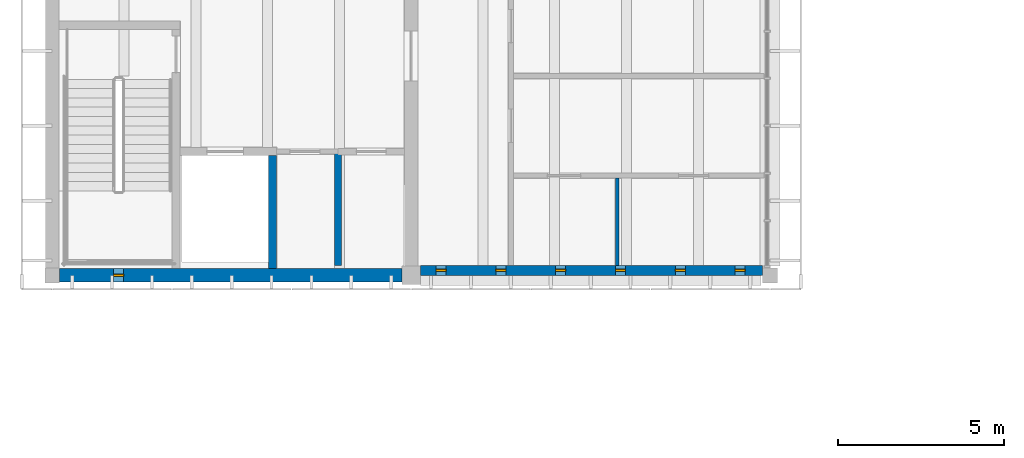
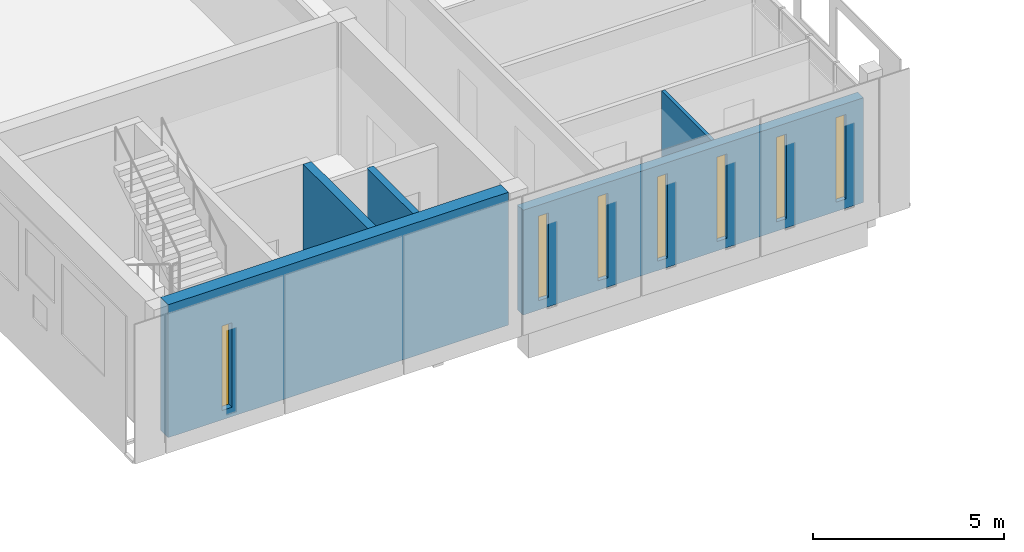
# One storey, part 30 of 50: 7 windows, 5 walls, 7 openings.
"""IFC4 building model written with IfcOpenShell, lengths in metres."""

import ifcopenshell
import ifcopenshell.guid

model = None  # the IFC model being written
_history = None  # IfcOwnerHistory: only IFC2X3 demands one
_inside = {}  # id of a spatial element -> (the spatial element, [elements in it])
_under = {}  # id of a project, library or spatial element -> (it, [spatial elements below it])
_declared = {}  # id of a project -> (the project, [libraries it declares])
_typed = {}  # id of a type object -> (the type object, [elements of that type])
_made_of = {}  # id of a material, layer set ... -> (it, [elements and type objects made of it])


def new_model(schema):
    """Start an empty IFC model of exactly this schema.

    Asked for "IFC4X3", IfcOpenShell would pick the latest addendum, in which some entities
    have other attributes; the version numbers below select the first issue.
    IFC2X3 requires an IfcOwnerHistory on every rooted entity: one is made here for all.
    """
    global model, _history
    if schema == "IFC4X3":
        model = ifcopenshell.file(schema_version=(4, 3, 0, 0))
    else:
        model = ifcopenshell.file(schema=schema)
    _inside.clear()
    _under.clear()
    _declared.clear()
    _typed.clear()
    _made_of.clear()
    _history = None
    if model.schema == "IFC2X3":
        org = make("IfcOrganization", Name="unknown")
        user = make(
            "IfcPersonAndOrganization",
            ThePerson=make("IfcPerson", FamilyName="unknown"),
            TheOrganization=org,
        )
        app = make(
            "IfcApplication",
            ApplicationDeveloper=org,
            Version="unknown",
            ApplicationFullName="unknown",
            ApplicationIdentifier="unknown",
        )
        _history = make(
            "IfcOwnerHistory",
            OwningUser=user,
            OwningApplication=app,
            ChangeAction="ADDED",
            CreationDate=0,
        )
    return model


def make(cls, **values):
    """One entity of the class cls with the attributes given. An attribute that is None is left unset."""
    return model.create_entity(
        cls, **{name: value for name, value in values.items() if value is not None}
    )


def rooted(cls, **values):
    """An entity with a GlobalId (a new one), such as an element, a storey or a relation."""
    return make(cls, GlobalId=ifcopenshell.guid.new(), OwnerHistory=_history, **values)


def si_unit(unit_type, name, prefix=None):
    """IfcSIUnit, for example si_unit("LENGTHUNIT", "METRE", prefix="MILLI")."""
    return make("IfcSIUnit", UnitType=unit_type, Prefix=prefix, Name=name)


def assignment(units):
    """IfcUnitAssignment: the units of a project."""
    return None if units is None else make("IfcUnitAssignment", Units=units)


def point(xyz):
    """IfcCartesianPoint."""
    return None if xyz is None else make("IfcCartesianPoint", Coordinates=xyz)


def direction(xyz):
    """IfcDirection."""
    return None if xyz is None else make("IfcDirection", DirectionRatios=xyz)


def frame(location, z_axis=None, x_axis=None):
    """IfcAxis2Placement3D, a coordinate frame: its origin and axes. An axis left out is left unset."""
    return make(
        "IfcAxis2Placement3D",
        Location=point(location),
        Axis=direction(z_axis),
        RefDirection=direction(x_axis),
    )


def frame_2d(location, x_axis=None):
    """IfcAxis2Placement2D, a coordinate frame in the plane: its origin and x axis."""
    return make(
        "IfcAxis2Placement2D", Location=point(location), RefDirection=direction(x_axis)
    )


def origin():
    """The frame at (0, 0, 0) with its axes left unset."""
    return frame((0.0, 0.0, 0.0))


def place(relative_to, where):
    """IfcLocalPlacement: puts the frame where relative to a parent placement (None: the world)."""
    return make(
        "IfcLocalPlacement", PlacementRelTo=relative_to, RelativePlacement=where
    )


def context(
    kind, dimensions, precision=None, world=None, true_north=None, identifier=None
):
    """IfcGeometricRepresentationContext, for example the 3D "Model" context."""
    return make(
        "IfcGeometricRepresentationContext",
        ContextIdentifier=identifier,
        ContextType=kind,
        CoordinateSpaceDimension=dimensions,
        Precision=precision,
        WorldCoordinateSystem=world,
        TrueNorth=true_north,
    )


def subcontext(parent, identifier, kind, view, scale=None):
    """IfcGeometricRepresentationSubContext, for example "Body" below "Model"."""
    return make(
        "IfcGeometricRepresentationSubContext",
        ContextIdentifier=identifier,
        ContextType=kind,
        ParentContext=parent,
        TargetScale=scale,
        TargetView=view,
    )


def project(units=None, contexts=None):
    """IfcProject with its units and contexts."""
    return rooted(
        "IfcProject",
        Name="project",
        RepresentationContexts=contexts,
        UnitsInContext=assignment(units),
    )


def spatial(cls, under=None, at=None, **own):
    """A site, building, storey or space (cls), placed at a placement, below another one or the project."""
    s = rooted(cls, ObjectPlacement=at, **own)
    if under is not None:
        _under.setdefault(under.id(), (under, []))[1].append(s)
    return s


def profile(cls, at=None, kind="AREA", **sizes):
    """A parametric profile (cls). Its sizes go by their IFC names, for example OverallWidth=200.0."""
    return make(cls, ProfileType=kind, Position=at, **sizes)


def rectangle(**sizes):
    """IfcRectangleProfileDef."""
    return profile("IfcRectangleProfileDef", **sizes)


def extrude(swept, where, along, depth):
    """IfcExtrudedAreaSolid: the profile swept, set in the frame where, extruded along a direction by depth."""
    return make(
        "IfcExtrudedAreaSolid",
        SweptArea=swept,
        Position=where,
        ExtrudedDirection=direction(along),
        Depth=depth,
    )


def shape(context_of_items, identifier, shape_type, items):
    """IfcShapeRepresentation: the items that make up one representation, for example the "Body"."""
    return make(
        "IfcShapeRepresentation",
        ContextOfItems=context_of_items,
        RepresentationIdentifier=identifier,
        RepresentationType=shape_type,
        Items=items,
    )


def material(Name=None, Category=None):
    """IfcMaterial."""
    return make("IfcMaterial", Name=Name, Category=Category)


def layer(
    of_material, thickness, ventilated=None, Name=None, Category=None, Priority=None
):
    """IfcMaterialLayer: one layer of a wall or slab, of a material (None: an air gap)."""
    return make(
        "IfcMaterialLayer",
        Material=of_material,
        LayerThickness=thickness,
        IsVentilated=ventilated,
        Name=Name,
        Category=Category,
        Priority=Priority,
    )


def layer_set(layers, Name=None):
    """IfcMaterialLayerSet."""
    return make("IfcMaterialLayerSet", MaterialLayers=layers, LayerSetName=Name)


def made_of(thing, what):
    """Note that an element or type object is made of a material, layer set ...; save() writes the relation."""
    if what is not None:
        _made_of.setdefault(what.id(), (what, []))[1].append(thing)
    return thing


def type_object(cls, material=None, **own):
    """A type object (cls), such as IfcWallType, which elements share."""
    return made_of(rooted(cls, **own), material)


def element(
    cls,
    number,
    at=None,
    inside=None,
    cuts=None,
    type_object=None,
    material=None,
    context=None,
    identifier="Body",
    shape_type=None,
    held_by="IfcProductDefinitionShape",
    body=None,
    shapes=None,
    **own,
):
    """One element of the class cls, such as IfcWall. Its Tag is "e" and its number.

    at: its placement. inside: the storey or other place that contains it. cuts: it is an
    opening in that element (IfcRelVoidsElement). A single representation is given by context,
    identifier, shape_type and body (its items); several are given by shapes. held_by: the class
    of the entity that holds the representations. save() writes the other relations.
    """
    e = rooted(cls, Tag="e%d" % number, ObjectPlacement=at, **own)
    if body is not None:
        shapes = [shape(context, identifier, shape_type, body)]
    if shapes is not None:
        e.Representation = make(held_by, Representations=shapes)
    if inside is not None:
        _inside.setdefault(inside.id(), (inside, []))[1].append(e)
    if cuts is not None:
        rooted(
            "IfcRelVoidsElement", RelatingBuildingElement=cuts, RelatedOpeningElement=e
        )
    if type_object is not None:
        _typed.setdefault(type_object.id(), (type_object, []))[1].append(e)
    return made_of(e, material)


def fill(opening, filler):
    """IfcRelFillsElement: the door or window that sits in an opening."""
    return rooted(
        "IfcRelFillsElement",
        RelatingOpeningElement=opening,
        RelatedBuildingElement=filler,
    )


def aggregate(whole, parts):
    """IfcRelAggregates: a whole, such as a stair, and the parts it consists of."""
    return rooted("IfcRelAggregates", RelatingObject=whole, RelatedObjects=parts)


def save(model, path):
    """Write the relations noted so far, then the file.

    IfcRelAggregates (storeys below a building ...), IfcRelContainedInSpatialStructure (elements
    in a storey), IfcRelDefinesByType, IfcRelAssociatesMaterial and IfcRelDeclares: one each for
    every whole, place, type object, material and project.
    """
    for whole, parts in _under.values():
        aggregate(whole, parts)
    for where, things in _inside.values():
        rooted(
            "IfcRelContainedInSpatialStructure",
            RelatedElements=things,
            RelatingStructure=where,
        )
    for kind, things in _typed.values():
        rooted("IfcRelDefinesByType", RelatedObjects=things, RelatingType=kind)
    for what, things in _made_of.values():
        rooted("IfcRelAssociatesMaterial", RelatedObjects=things, RelatingMaterial=what)
    for by, libraries in _declared.values():
        rooted("IfcRelDeclares", RelatingContext=by, RelatedDefinitions=libraries)
    model.write(path)


model = new_model("IFC4")

# Units and contexts
model_context = context("Model", 3, precision=1e-05, world=origin(), true_north=direction((0.0, 1.0)))
body_context = subcontext(model_context, "Body", "Model", "MODEL_VIEW")
ifc_project = project(units=[si_unit("LENGTHUNIT", "METRE"), si_unit("AREAUNIT", "SQUARE_METRE"), si_unit("VOLUMEUNIT", "CUBIC_METRE"), si_unit("PLANEANGLEUNIT", "RADIAN"), si_unit("MASSUNIT", "GRAM", prefix="KILO")], contexts=[model_context])

# Site, building, storey
site_placement = place(None, origin())
site = spatial("IfcSite", under=ifc_project, at=site_placement, CompositionType="ELEMENT")
building_placement = place(site_placement, origin())
building = spatial("IfcBuilding", under=site, at=building_placement, Name="Merrow Basin Faculty of Sciences", CompositionType="ELEMENT")
storey_placement = place(building_placement, frame((0.0, 0.0, 18.0)))
storey = spatial("IfcBuildingStorey", under=building, at=storey_placement, Name="L04", CompositionType="ELEMENT", Elevation=18.0)

# Wall, openings, windows
ifc_material_1 = material(Name="Precast concrete C40/50", Category="concrete")
ifc_layer_1 = layer(ifc_material_1, 0.300048828125)
ifc_layer_set_1 = layer_set([ifc_layer_1], Name="End wall 300 Precast concrete C40/50")
wall_type_1 = type_object("IfcWallType", Name="End wall 300 Precast concrete C40/50", PredefinedType="STANDARD", material=ifc_layer_set_1)
wall_1_placement = place(storey_placement, frame((21.375, 61.14990234375, 0.0), z_axis=(0.0, 0.0, 1.0), x_axis=(-1.0, 0.0, 0.0)))
wall_1 = element("IfcWall", 1, at=wall_1_placement, inside=storey, type_object=wall_type_1, Name="South end wall 1", PredefinedType="STANDARD", context=body_context, shape_type="SweptSolid", body=[
    extrude(rectangle(XDim=10.300048828125, YDim=0.300048828125, at=frame_2d((5.14990234375, 0.0))), origin(), (0.0, 0.0, 1.0), 3.35009765625),
])
opening_1_placement = place(wall_1_placement, frame((9.52490234375, 0.0, 0.300048828125)))
opening_1 = element("IfcOpeningElement", 2, at=opening_1_placement, cuts=wall_1, Name="Opening WN1", PredefinedType="OPENING", context=body_context, shape_type="SweptSolid", body=[
    extrude(rectangle(XDim=0.300048828125, YDim=2.699951171875, at=frame_2d((0.14990234375, 1.35009765625))), frame((0.0, 0.159912109375, 0.0), z_axis=(0.0, -1.0, 0.0), x_axis=(1.0, 0.0, 0.0)), (0.0, 0.0, 1.0), 0.320068359375),
])
opening_2_placement = place(wall_1_placement, frame((7.72509765625, 0.0, 0.300048828125)))
opening_2 = element("IfcOpeningElement", 3, at=opening_2_placement, cuts=wall_1, Name="Opening WN1", PredefinedType="OPENING", context=body_context, shape_type="SweptSolid", body=[
    extrude(rectangle(XDim=0.300048828125, YDim=2.699951171875, at=frame_2d((0.14990234375, 1.35009765625))), frame((0.0, 0.159912109375, 0.0), z_axis=(0.0, -1.0, 0.0), x_axis=(1.0, 0.0, 0.0)), (0.0, 0.0, 1.0), 0.320068359375),
])
opening_3_placement = place(wall_1_placement, frame((5.925048828125, 0.0, 0.300048828125)))
opening_3 = element("IfcOpeningElement", 4, at=opening_3_placement, cuts=wall_1, Name="Opening WN1", PredefinedType="OPENING", context=body_context, shape_type="SweptSolid", body=[
    extrude(rectangle(XDim=0.300048828125, YDim=2.699951171875, at=frame_2d((0.14990234375, 1.35009765625))), frame((0.0, 0.159912109375, 0.0), z_axis=(0.0, -1.0, 0.0), x_axis=(1.0, 0.0, 0.0)), (0.0, 0.0, 1.0), 0.320068359375),
])
opening_4_placement = place(wall_1_placement, frame((4.125, 0.0, 0.300048828125)))
opening_4 = element("IfcOpeningElement", 5, at=opening_4_placement, cuts=wall_1, Name="Opening WN1", PredefinedType="OPENING", context=body_context, shape_type="SweptSolid", body=[
    extrude(rectangle(XDim=0.300048828125, YDim=2.699951171875, at=frame_2d((0.14990234375, 1.35009765625))), frame((0.0, 0.159912109375, 0.0), z_axis=(0.0, -1.0, 0.0), x_axis=(1.0, 0.0, 0.0)), (0.0, 0.0, 1.0), 0.320068359375),
])
opening_5_placement = place(wall_1_placement, frame((2.324951171875, 0.0, 0.300048828125)))
opening_5 = element("IfcOpeningElement", 6, at=opening_5_placement, cuts=wall_1, Name="Opening WN1", PredefinedType="OPENING", context=body_context, shape_type="SweptSolid", body=[
    extrude(rectangle(XDim=0.300048828125, YDim=2.699951171875, at=frame_2d((0.14990234375, 1.35009765625))), frame((0.0, 0.159912109375, 0.0), z_axis=(0.0, -1.0, 0.0), x_axis=(1.0, 0.0, 0.0)), (0.0, 0.0, 1.0), 0.320068359375),
])
opening_6_placement = place(wall_1_placement, frame((0.52490234375, 0.0, 0.300048828125)))
opening_6 = element("IfcOpeningElement", 7, at=opening_6_placement, cuts=wall_1, Name="Opening WN1", PredefinedType="OPENING", context=body_context, shape_type="SweptSolid", body=[
    extrude(rectangle(XDim=0.300048828125, YDim=2.699951171875, at=frame_2d((0.14990234375, 1.35009765625))), frame((0.0, 0.159912109375, 0.0), z_axis=(0.0, -1.0, 0.0), x_axis=(1.0, 0.0, 0.0)), (0.0, 0.0, 1.0), 0.320068359375),
])
ifc_material_2 = material(Name="Low-E double glazing", Category="glass")
window_type = type_object("IfcWindowType", Name="Slot window 300 x 2700", PartitioningType="SINGLE_PANEL", PredefinedType="WINDOW", material=ifc_material_2)
window_1_placement = place(opening_1_placement, origin())
window_1 = element("IfcWindow", 8, at=window_1_placement, inside=storey, type_object=window_type, Name="South slot window L04", OverallHeight=2.699951171875, OverallWidth=0.300048828125, PartitioningType="SINGLE_PANEL", PredefinedType="WINDOW", context=body_context, shape_type="SweptSolid", body=[
    extrude(rectangle(XDim=0.300048828125, YDim=2.699951171875, at=frame_2d((0.14990234375, 1.35009765625))), frame((0.0, 0.030029296875, 0.0), z_axis=(0.0, -1.0, 0.0), x_axis=(1.0, 0.0, 0.0)), (0.0, 0.0, 1.0), 0.06005859375),
])
fill(opening_1, window_1)
window_2_placement = place(opening_2_placement, origin())
window_2 = element("IfcWindow", 9, at=window_2_placement, inside=storey, type_object=window_type, Name="South slot window L04", OverallHeight=2.699951171875, OverallWidth=0.300048828125, PartitioningType="SINGLE_PANEL", PredefinedType="WINDOW", context=body_context, shape_type="SweptSolid", body=[
    extrude(rectangle(XDim=0.300048828125, YDim=2.699951171875, at=frame_2d((0.14990234375, 1.35009765625))), frame((0.0, 0.030029296875, 0.0), z_axis=(0.0, -1.0, 0.0), x_axis=(1.0, 0.0, 0.0)), (0.0, 0.0, 1.0), 0.06005859375),
])
fill(opening_2, window_2)
window_3_placement = place(opening_3_placement, origin())
window_3 = element("IfcWindow", 10, at=window_3_placement, inside=storey, type_object=window_type, Name="South slot window L04", OverallHeight=2.699951171875, OverallWidth=0.300048828125, PartitioningType="SINGLE_PANEL", PredefinedType="WINDOW", context=body_context, shape_type="SweptSolid", body=[
    extrude(rectangle(XDim=0.300048828125, YDim=2.699951171875, at=frame_2d((0.14990234375, 1.35009765625))), frame((0.0, 0.030029296875, 0.0), z_axis=(0.0, -1.0, 0.0), x_axis=(1.0, 0.0, 0.0)), (0.0, 0.0, 1.0), 0.06005859375),
])
fill(opening_3, window_3)
window_4_placement = place(opening_4_placement, origin())
window_4 = element("IfcWindow", 11, at=window_4_placement, inside=storey, type_object=window_type, Name="South slot window L04", OverallHeight=2.699951171875, OverallWidth=0.300048828125, PartitioningType="SINGLE_PANEL", PredefinedType="WINDOW", context=body_context, shape_type="SweptSolid", body=[
    extrude(rectangle(XDim=0.300048828125, YDim=2.699951171875, at=frame_2d((0.14990234375, 1.35009765625))), frame((0.0, 0.030029296875, 0.0), z_axis=(0.0, -1.0, 0.0), x_axis=(1.0, 0.0, 0.0)), (0.0, 0.0, 1.0), 0.06005859375),
])
fill(opening_4, window_4)
window_5_placement = place(opening_5_placement, origin())
window_5 = element("IfcWindow", 12, at=window_5_placement, inside=storey, type_object=window_type, Name="South slot window L04", OverallHeight=2.699951171875, OverallWidth=0.300048828125, PartitioningType="SINGLE_PANEL", PredefinedType="WINDOW", context=body_context, shape_type="SweptSolid", body=[
    extrude(rectangle(XDim=0.300048828125, YDim=2.699951171875, at=frame_2d((0.14990234375, 1.35009765625))), frame((0.0, 0.030029296875, 0.0), z_axis=(0.0, -1.0, 0.0), x_axis=(1.0, 0.0, 0.0)), (0.0, 0.0, 1.0), 0.06005859375),
])
fill(opening_5, window_5)
window_6_placement = place(opening_6_placement, origin())
window_6 = element("IfcWindow", 13, at=window_6_placement, inside=storey, type_object=window_type, Name="South slot window L04", OverallHeight=2.699951171875, OverallWidth=0.300048828125, PartitioningType="SINGLE_PANEL", PredefinedType="WINDOW", context=body_context, shape_type="SweptSolid", body=[
    extrude(rectangle(XDim=0.300048828125, YDim=2.699951171875, at=frame_2d((0.14990234375, 1.35009765625))), frame((0.0, 0.030029296875, 0.0), z_axis=(0.0, -1.0, 0.0), x_axis=(1.0, 0.0, 0.0)), (0.0, 0.0, 1.0), 0.06005859375),
])
fill(opening_6, window_6)

# Walls
ifc_material_3 = material(Name="Moisture-resistant gypsum board")
ifc_layer_2 = layer(ifc_material_3, 0.10009765625)
ifc_layer_set_2 = layer_set([ifc_layer_2], Name="Partition 100 moisture-resistant board on steel studs")
wall_type_2 = type_object("IfcWallType", Name="Partition 100 moisture-resistant board on steel studs", PredefinedType="PARTITIONING", material=ifc_layer_set_2)
wall_2_placement = place(storey_placement, frame((17.0, 61.300048828125, 0.0), z_axis=(0.0, 0.0, 1.0), x_axis=(0.0, 1.0, 0.0)))
element("IfcWall", 14, at=wall_2_placement, inside=storey, type_object=wall_type_2, Name="IW101 L04 019", PredefinedType="PARTITIONING", context=body_context, shape_type="SweptSolid", body=[
    extrude(rectangle(XDim=2.625, YDim=0.10009765625, at=frame_2d((1.3125, 0.0))), origin(), (0.0, 0.0, 1.0), 3.35009765625),
])
ifc_material_4 = material(Name="Fire-rated gypsum board")
ifc_layer_3 = layer(ifc_material_4, 0.199951171875)
ifc_layer_set_3 = layer_set([ifc_layer_3], Name="Riser lining 200 fire-rated board on steel studs")
wall_type_3 = type_object("IfcWallType", Name="Riser lining 200 fire-rated board on steel studs", PredefinedType="PARTITIONING", material=ifc_layer_set_3)
wall_3_placement = place(storey_placement, frame((8.60009765625, 61.300048828125, 0.0), z_axis=(0.0, 0.0, 1.0), x_axis=(0.0, 1.0, 0.0)))
element("IfcWall", 15, at=wall_3_placement, inside=storey, type_object=wall_type_3, Name="IW200 L04 001", PredefinedType="PARTITIONING", context=body_context, shape_type="SweptSolid", body=[
    extrude(rectangle(XDim=3.425048828125, YDim=0.199951171875, at=frame_2d((1.71240234375, 0.0))), origin(), (0.0, 0.0, 1.0), 3.35009765625),
])
ifc_material_5 = material(Name="Concrete C40/50", Category="concrete")
ifc_layer_4 = layer(ifc_material_5, 0.25)
ifc_layer_set_4 = layer_set([ifc_layer_4], Name="Shear wall 250 Concrete C40/50")
wall_type_4 = type_object("IfcWallType", Name="Shear wall 250 Concrete C40/50", PredefinedType="SHEAR", material=ifc_layer_set_4)
wall_4_placement = place(storey_placement, frame((6.625, 61.199951171875, 0.0), z_axis=(0.0, 0.0, 1.0), x_axis=(0.0, 1.0, 0.0)))
element("IfcWall", 16, at=wall_4_placement, inside=storey, type_object=wall_type_4, Name="SW2 L04 008", PredefinedType="SHEAR", context=body_context, shape_type="SweptSolid", body=[
    extrude(rectangle(XDim=3.400146484375, YDim=0.25, at=frame_2d((1.7001953125, 0.0))), origin(), (0.0, 0.0, 1.0), 4.25),
])

# Wall, opening, window
ifc_material_6 = material(Name="Concrete C40/50", Category="concrete")
ifc_layer_5 = layer(ifc_material_6, 0.39990234375)
ifc_layer_set_5 = layer_set([ifc_layer_5], Name="Shear wall 400 Concrete C40/50")
wall_type_5 = type_object("IfcWallType", Name="Shear wall 400 Concrete C40/50", PredefinedType="SHEAR", material=ifc_layer_set_5)
wall_5_placement = place(storey_placement, frame((0.22509765625, 61.0, 0.0), z_axis=(0.0, 0.0, 1.0), x_axis=(1.0, 0.0, 0.0)))
wall_5 = element("IfcWall", 17, at=wall_5_placement, inside=storey, type_object=wall_type_5, Name="SW1 L04 001", PredefinedType="SHEAR", context=body_context, shape_type="SweptSolid", body=[
    extrude(rectangle(XDim=10.2998046875, YDim=0.39990234375, at=frame_2d((5.14990234375, 0.0))), origin(), (0.0, 0.0, 1.0), 4.25),
])
opening_7_placement = place(wall_5_placement, frame((1.625, 0.0, 0.300048828125)))
opening_7 = element("IfcOpeningElement", 18, at=opening_7_placement, cuts=wall_5, Name="Opening WN1", PredefinedType="OPENING", context=body_context, shape_type="SweptSolid", body=[
    extrude(rectangle(XDim=0.300048828125, YDim=2.699951171875, at=frame_2d((0.14990234375, 1.35009765625))), frame((0.0, 0.2099609375, 0.0), z_axis=(0.0, -1.0, 0.0), x_axis=(1.0, 0.0, 0.0)), (0.0, 0.0, 1.0), 0.419921875),
])
window_7_placement = place(opening_7_placement, origin())
window_7 = element("IfcWindow", 19, at=window_7_placement, inside=storey, type_object=window_type, Name="Stair slot window C-V4-S L04", OverallHeight=2.699951171875, OverallWidth=0.300048828125, PartitioningType="SINGLE_PANEL", PredefinedType="WINDOW", context=body_context, shape_type="SweptSolid", body=[
    extrude(rectangle(XDim=0.300048828125, YDim=2.699951171875, at=frame_2d((0.14990234375, 1.35009765625))), frame((0.0, 0.030029296875, 0.0), z_axis=(0.0, -1.0, 0.0), x_axis=(1.0, 0.0, 0.0)), (0.0, 0.0, 1.0), 0.06005859375),
])
fill(opening_7, window_7)

save(model, "model.ifc")
